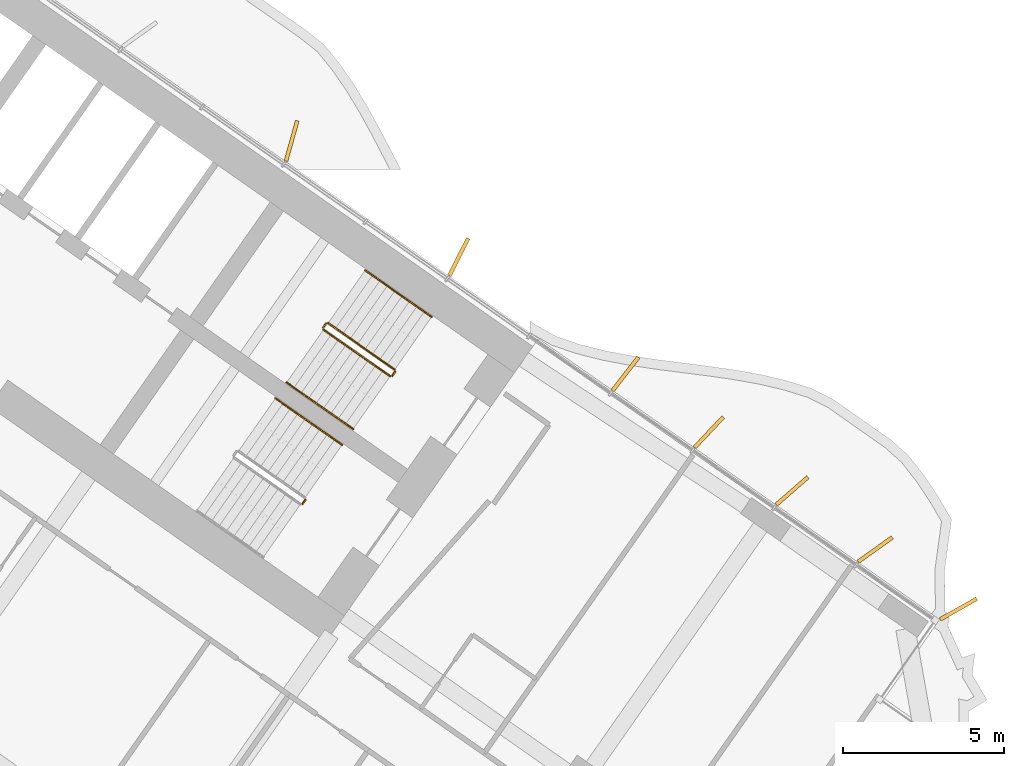
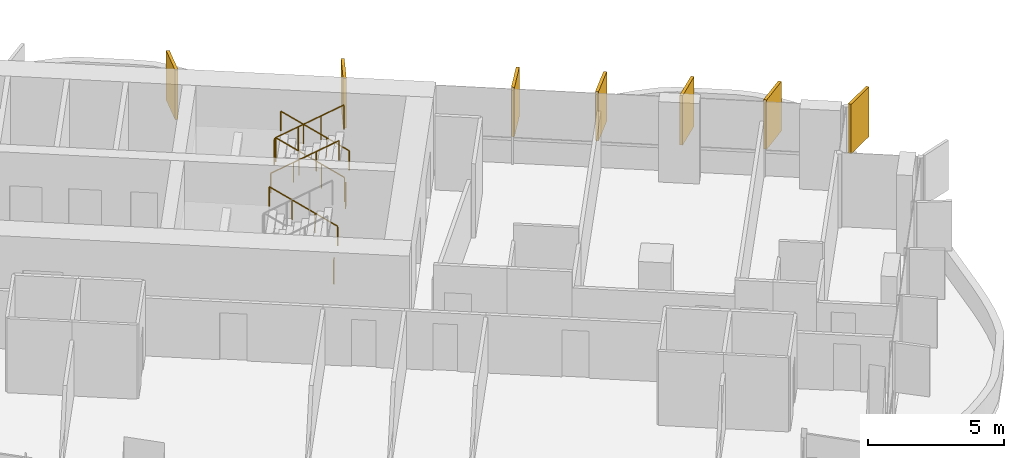
# One storey, part 23 of 23: 8 railings, 7 shading devices.
"""IFC4 building model written with IfcOpenShell, lengths in metres."""

from ifc_helpers import new_model, si_unit, direction, frame, origin, origin_2d, place, context, subcontext, project, spatial, rectangle, circle, extrude, material, layer, layer_set, type_object, element, save


model = new_model("IFC4")

# Units and contexts
model_context = context("Model", 3, precision=1e-05, world=origin(), true_north=direction((0.0, 1.0)))
body_context = subcontext(model_context, "Body", "Model", "MODEL_VIEW")
ifc_project = project(units=[si_unit("LENGTHUNIT", "METRE"), si_unit("AREAUNIT", "SQUARE_METRE"), si_unit("VOLUMEUNIT", "CUBIC_METRE"), si_unit("PLANEANGLEUNIT", "RADIAN"), si_unit("MASSUNIT", "GRAM", prefix="KILO")], contexts=[model_context])

# Site, building, storey
site_placement = place(None, origin())
site = spatial("IfcSite", under=ifc_project, at=site_placement, CompositionType="ELEMENT")
building_placement = place(site_placement, origin())
building = spatial("IfcBuilding", under=site, at=building_placement, Name="Tel Ilan Convention Tower", CompositionType="ELEMENT")
storey_placement = place(building_placement, frame((0.0, 0.0, 86.89990234375)))
storey = spatial("IfcBuildingStorey", under=building, at=storey_placement, Name="L17", CompositionType="ELEMENT", Elevation=86.89990234375)

# Shading devices
ifc_material_1 = material(Name="Aluminium, bronze anodised", Category="aluminium")
ifc_layer = layer(ifc_material_1, 0.1201171875)
ifc_layer_set = layer_set([ifc_layer], Name="FIN BRONZE 1300x120")
shading_device_type = type_object("IfcShadingDeviceType", Name="FIN BRONZE 1300x120", PredefinedType="USERDEFINED", material=ifc_layer_set)
for number, where, z_axis, x_axis, name in (
    (1, (25.665771484375, -4.35791015625, 1.10009765625), (0.0, 0.0, 1.0), (0.448799180206, 0.893632640321, 0.0), "FIN"),
    (2, (20.48095703125, -0.750732421875, 1.10009765625), (0.0, 0.0, 1.0), (0.268172612768, 0.963370878614, 0.0), "FIN"),
    (3, (41.176025390625, -15.281005859375, 1.10009765625), (0.0, 0.0, 1.0), (0.870832754082, 0.491579408049, 0.0), "FIN"),
    (4, (38.59375, -13.43359375, 1.10009765625), (0.0, 0.0, 1.0), (0.813552070258, 0.581492071294, 0.0), "FIN"),
    (5, (36.0146484375, -11.6123046875, 1.10009765625), (0.0, 0.0, 1.0), (0.753435896329, 0.657521368568, 0.0), "FIN"),
    (6, (33.4306640625, -9.795166015625, 1.10009765625), (0.0, 0.0, 1.0), (0.686241637865, 0.727373641577, 0.0), "FIN"),
    (7, (30.842529296875, -7.982666015625, 1.10009765625), (0.0, 0.0, 1.0), (0.612600545196, 0.790392669516, 0.0), "FIN"),
):
    element("IfcShadingDevice", number, at=place(storey_placement, frame(where, z_axis=z_axis, x_axis=x_axis)), inside=storey, type_object=shading_device_type, Name=name, ObjectType="FIN", PredefinedType="USERDEFINED", context=body_context, shape_type="SweptSolid", body=[
        extrude(rectangle(XDim=1.300048828125, YDim=0.1201171875, at=origin_2d()), origin(), (0.0, 0.0, 1.0), 2.219970703125),
    ])

# Railings
ifc_material_2 = material(Name="Stainless Steel Grade 316", Category="steel")
railing_type_1 = type_object("IfcRailingType", Name="Stainless Steel Stair Guard 1100 mm", PredefinedType="GUARDRAIL", material=ifc_material_2)
railing_1_placement = place(storey_placement, frame((23.6787109375, -7.8515625, 0.18017578125)))
element("IfcRailing", 8, at=railing_1_placement, inside=storey, type_object=railing_type_1, Name="L17 S3 stair guard 1", PredefinedType="GUARDRAIL", context=body_context, shape_type="SweptSolid", body=[
    extrude(circle(Radius=0.02392578125, at=origin_2d()), frame((0.0, 0.0, 1.076171875), z_axis=(-0.689043377453, 0.48253410265, 0.540721798865), x_axis=(-0.573624882958, -0.819118119475, 0.0)), (0.0, 0.0, 1.0), 2.995849609375),
    extrude(circle(Radius=0.02099609375, at=origin_2d()), origin(), (0.0, 0.0, 1.0), 1.052001953125),
    extrude(circle(Radius=0.02099609375, at=origin_2d()), frame((-0.68798828125, 0.48193359375, 0.5400390625)), (0.0, 0.0, 1.0), 1.052001953125),
    extrude(circle(Radius=0.02099609375, at=origin_2d()), frame((-1.376220703125, 0.963623046875, 1.079833984375)), (0.0, 0.0, 1.0), 1.052001953125),
    extrude(circle(Radius=0.02099609375, at=origin_2d()), frame((-2.064208984375, 1.445556640625, 1.619873046875)), (0.0, 0.0, 1.0), 1.052001953125),
])
railing_2_placement = place(storey_placement, frame((21.544921875, -6.41845703125, 1.800048828125)))
element("IfcRailing", 9, at=railing_2_placement, inside=storey, type_object=railing_type_1, Name="L17 S3 stair guard 2", PredefinedType="GUARDRAIL", context=body_context, shape_type="SweptSolid", body=[
    extrude(circle(Radius=0.02392578125, at=origin_2d()), frame((0.0, 0.0, 1.076171875), z_axis=(-0.573353020881, -0.819308436089, 0.0), x_axis=(0.819308436089, -0.573353020881, 0.0)), (0.0, 0.0, 1.0), 0.14990234375),
    extrude(circle(Radius=0.02099609375, at=origin_2d()), origin(), (0.0, 0.0, 1.0), 1.052001953125),
    extrude(circle(Radius=0.02099609375, at=origin_2d()), frame((-0.0859375, -0.122802734375, 0.0)), (0.0, 0.0, 1.0), 1.052001953125),
])
railing_3_placement = place(storey_placement, frame((21.47119140625, -6.61083984375, 1.97998046875)))
element("IfcRailing", 10, at=railing_3_placement, inside=storey, type_object=railing_type_1, Name="L17 S3 stair guard 3", PredefinedType="GUARDRAIL", context=body_context, shape_type="SweptSolid", body=[
    extrude(circle(Radius=0.02392578125, at=origin_2d()), frame((0.0, 0.0, 1.076171875), z_axis=(0.689013013563, -0.482512838948, 0.540779462804), x_axis=(0.573624882958, 0.819118119475, 0.0)), (0.0, 0.0, 1.0), 2.995849609375),
    extrude(circle(Radius=0.02099609375, at=origin_2d()), origin(), (0.0, 0.0, 1.0), 1.052001953125),
    extrude(circle(Radius=0.02099609375, at=origin_2d()), frame((0.68798828125, -0.48193359375, 0.5400390625)), (0.0, 0.0, 1.0), 1.052001953125),
    extrude(circle(Radius=0.02099609375, at=origin_2d()), frame((1.376220703125, -0.963623046875, 1.080078125)), (0.0, 0.0, 1.0), 1.052001953125),
    extrude(circle(Radius=0.02099609375, at=origin_2d()), frame((2.064208984375, -1.445556640625, 1.6201171875)), (0.0, 0.0, 1.0), 1.052001953125),
])
railing_4_placement = place(storey_placement, frame((23.691162109375, -7.921142578125, 0.0)))
element("IfcRailing", 11, at=railing_4_placement, inside=storey, type_object=railing_type_1, Name="L17 S3 stair guard 4", PredefinedType="GUARDRAIL", context=body_context, shape_type="SweptSolid", body=[
    extrude(circle(Radius=0.02392578125, at=origin_2d()), frame((0.0, 0.0, 1.076171875), z_axis=(-0.574444878118, -0.818543268254, 0.0), x_axis=(0.818543268254, -0.574444878118, 0.0)), (0.0, 0.0, 1.0), 0.150146484375),
    extrude(circle(Radius=0.02099609375, at=origin_2d()), origin(), (0.0, 0.0, 1.0), 1.052001953125),
    extrude(circle(Radius=0.02099609375, at=origin_2d()), frame((-0.086181640625, -0.122802734375, 0.0)), (0.0, 0.0, 1.0), 1.052001953125),
])
railing_5_placement = place(storey_placement, frame((20.9091796875, -11.89404296875, 0.0)))
element("IfcRailing", 12, at=railing_5_placement, inside=storey, type_object=railing_type_1, Name="L17 S4 stair guard 4", PredefinedType="GUARDRAIL", context=body_context, shape_type="SweptSolid", body=[
    extrude(circle(Radius=0.02392578125, at=origin_2d()), frame((0.0, 0.0, 1.076171875), z_axis=(-0.573353020881, -0.819308436089, 0.0), x_axis=(0.819308436089, -0.573353020881, 0.0)), (0.0, 0.0, 1.0), 0.14990234375),
    extrude(circle(Radius=0.02099609375, at=origin_2d()), origin(), (0.0, 0.0, 1.0), 1.052001953125),
    extrude(circle(Radius=0.02099609375, at=origin_2d()), frame((-0.0859375, -0.122802734375, 0.0)), (0.0, 0.0, 1.0), 1.052001953125),
])
ifc_material_3 = material(Name="Stainless Steel Grade 316", Category="steel")
railing_type_2 = type_object("IfcRailingType", Name="Stainless Steel Stair Handrail 900 mm", PredefinedType="HANDRAIL", material=ifc_material_3)
railing_6_placement = place(storey_placement, frame((24.825927734375, -6.213134765625, 0.18017578125)))
element("IfcRailing", 13, at=railing_6_placement, inside=storey, type_object=railing_type_2, Name="L17 S3 stair handrail 1", PredefinedType="HANDRAIL", context=body_context, shape_type="SweptSolid", body=[
    extrude(circle(Radius=0.02392578125, at=origin_2d()), frame((0.0, 0.0, 0.8759765625), z_axis=(-0.68907047291, 0.482471578903, 0.540743061828), x_axis=(-0.573559875649, -0.819163639968, 0.0)), (0.0, 0.0, 1.0), 2.99560546875),
    extrude(circle(Radius=0.02099609375, at=origin_2d()), origin(), (0.0, 0.0, 1.0), 0.851806640625),
    extrude(circle(Radius=0.02099609375, at=origin_2d()), frame((-0.68798828125, 0.481689453125, 0.5400390625)), (0.0, 0.0, 1.0), 0.851806640625),
    extrude(circle(Radius=0.02099609375, at=origin_2d()), frame((-1.376220703125, 0.963623046875, 1.079833984375)), (0.0, 0.0, 1.0), 0.851806640625),
    extrude(circle(Radius=0.02099609375, at=origin_2d()), frame((-2.064208984375, 1.4453125, 1.619873046875)), (0.0, 0.0, 1.0), 0.851806640625),
])
railing_7_placement = place(storey_placement, frame((20.323974609375, -8.249267578125, 1.97998046875)))
element("IfcRailing", 14, at=railing_7_placement, inside=storey, type_object=railing_type_2, Name="L17 S3 stair handrail 2", PredefinedType="HANDRAIL", context=body_context, shape_type="SweptSolid", body=[
    extrude(circle(Radius=0.02392578125, at=origin_2d()), frame((0.0, 0.0, 0.8759765625), z_axis=(0.689040105437, -0.482450316285, 0.54080072616), x_axis=(0.573559875649, 0.819163639968, 0.0)), (0.0, 0.0, 1.0), 2.995849609375),
    extrude(circle(Radius=0.02099609375, at=origin_2d()), origin(), (0.0, 0.0, 1.0), 0.851806640625),
    extrude(circle(Radius=0.02099609375, at=origin_2d()), frame((0.68798828125, -0.481689453125, 0.5400390625)), (0.0, 0.0, 1.0), 0.851806640625),
    extrude(circle(Radius=0.02099609375, at=origin_2d()), frame((1.376220703125, -0.963623046875, 1.080078125)), (0.0, 0.0, 1.0), 0.851806640625),
    extrude(circle(Radius=0.02099609375, at=origin_2d()), frame((2.064208984375, -1.4453125, 1.6201171875)), (0.0, 0.0, 1.0), 0.851806640625),
])
railing_8_placement = place(storey_placement, frame((22.044189453125, -10.18603515625, 0.18017578125)))
element("IfcRailing", 15, at=railing_8_placement, inside=storey, type_object=railing_type_2, Name="L17 S4 stair handrail 1", PredefinedType="HANDRAIL", context=body_context, shape_type="SweptSolid", body=[
    extrude(circle(Radius=0.02392578125, at=origin_2d()), frame((0.0, 0.0, 0.8759765625), z_axis=(-0.689113270881, 0.482444484817, 0.540712695399), x_axis=(-0.573514357932, -0.81919550856, 0.0)), (0.0, 0.0, 1.0), 2.995849609375),
    extrude(circle(Radius=0.02099609375, at=origin_2d()), origin(), (0.0, 0.0, 1.0), 0.851806640625),
    extrude(circle(Radius=0.02099609375, at=origin_2d()), frame((-0.688232421875, 0.481689453125, 0.5400390625)), (0.0, 0.0, 1.0), 0.851806640625),
    extrude(circle(Radius=0.02099609375, at=origin_2d()), frame((-1.376220703125, 0.963623046875, 1.079833984375)), (0.0, 0.0, 1.0), 0.851806640625),
    extrude(circle(Radius=0.02099609375, at=origin_2d()), frame((-2.064453125, 1.4453125, 1.619873046875)), (0.0, 0.0, 1.0), 0.851806640625),
])

save(model, "model.ifc")
